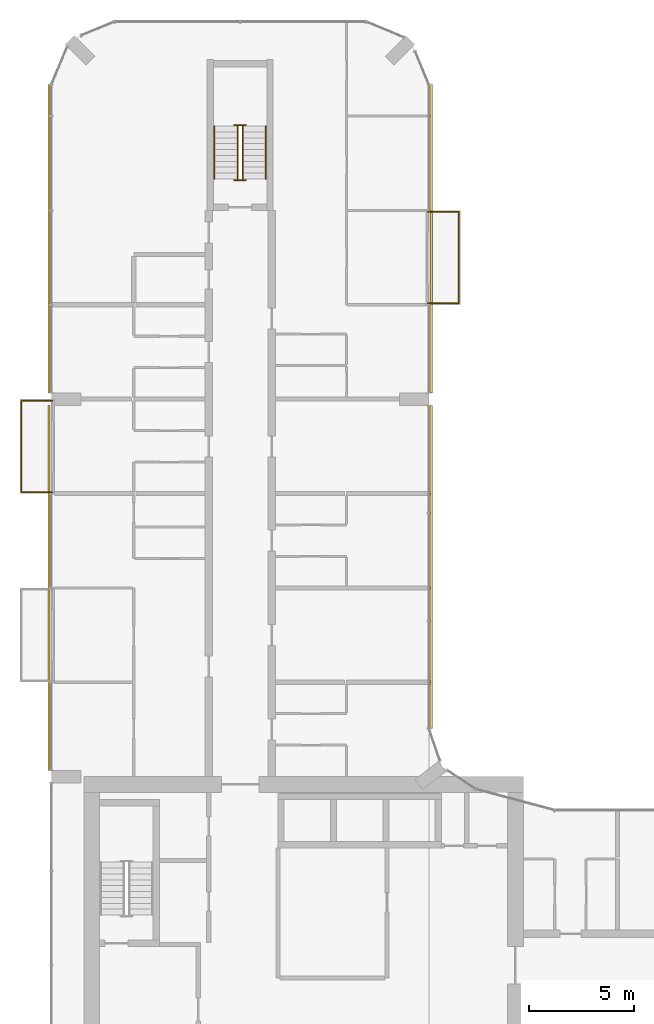
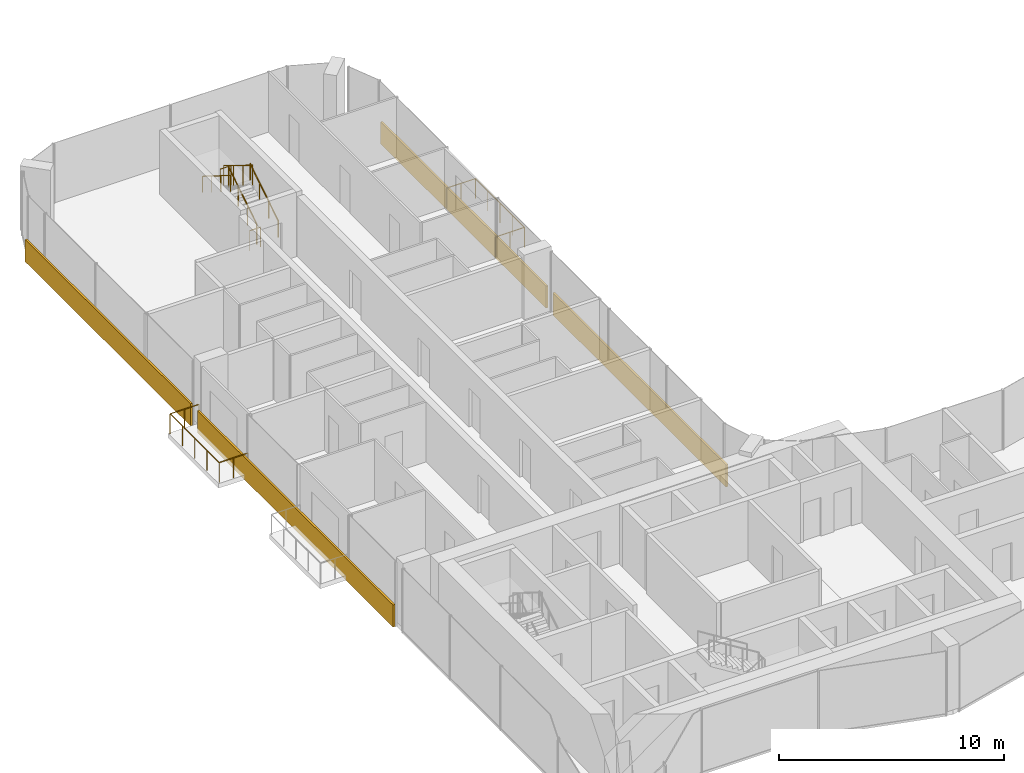
# One storey, part 23 of 24: 8 railings, 4 coverings.
"""IFC4 building model written with IfcOpenShell, lengths in metres."""

import ifcopenshell
import ifcopenshell.guid

model = None  # the IFC model being written
_history = None  # IfcOwnerHistory: only IFC2X3 demands one
_inside = {}  # id of a spatial element -> (the spatial element, [elements in it])
_under = {}  # id of a project, library or spatial element -> (it, [spatial elements below it])
_declared = {}  # id of a project -> (the project, [libraries it declares])
_typed = {}  # id of a type object -> (the type object, [elements of that type])
_made_of = {}  # id of a material, layer set ... -> (it, [elements and type objects made of it])


def new_model(schema):
    """Start an empty IFC model of exactly this schema.

    Asked for "IFC4X3", IfcOpenShell would pick the latest addendum, in which some entities
    have other attributes; the version numbers below select the first issue.
    IFC2X3 requires an IfcOwnerHistory on every rooted entity: one is made here for all.
    """
    global model, _history
    if schema == "IFC4X3":
        model = ifcopenshell.file(schema_version=(4, 3, 0, 0))
    else:
        model = ifcopenshell.file(schema=schema)
    _inside.clear()
    _under.clear()
    _declared.clear()
    _typed.clear()
    _made_of.clear()
    _history = None
    if model.schema == "IFC2X3":
        org = make("IfcOrganization", Name="unknown")
        user = make(
            "IfcPersonAndOrganization",
            ThePerson=make("IfcPerson", FamilyName="unknown"),
            TheOrganization=org,
        )
        app = make(
            "IfcApplication",
            ApplicationDeveloper=org,
            Version="unknown",
            ApplicationFullName="unknown",
            ApplicationIdentifier="unknown",
        )
        _history = make(
            "IfcOwnerHistory",
            OwningUser=user,
            OwningApplication=app,
            ChangeAction="ADDED",
            CreationDate=0,
        )
    return model


def make(cls, **values):
    """One entity of the class cls with the attributes given. An attribute that is None is left unset."""
    return model.create_entity(
        cls, **{name: value for name, value in values.items() if value is not None}
    )


def rooted(cls, **values):
    """An entity with a GlobalId (a new one), such as an element, a storey or a relation."""
    return make(cls, GlobalId=ifcopenshell.guid.new(), OwnerHistory=_history, **values)


def si_unit(unit_type, name, prefix=None):
    """IfcSIUnit, for example si_unit("LENGTHUNIT", "METRE", prefix="MILLI")."""
    return make("IfcSIUnit", UnitType=unit_type, Prefix=prefix, Name=name)


def assignment(units):
    """IfcUnitAssignment: the units of a project."""
    return None if units is None else make("IfcUnitAssignment", Units=units)


def point(xyz):
    """IfcCartesianPoint."""
    return None if xyz is None else make("IfcCartesianPoint", Coordinates=xyz)


def direction(xyz):
    """IfcDirection."""
    return None if xyz is None else make("IfcDirection", DirectionRatios=xyz)


def frame(location, z_axis=None, x_axis=None):
    """IfcAxis2Placement3D, a coordinate frame: its origin and axes. An axis left out is left unset."""
    return make(
        "IfcAxis2Placement3D",
        Location=point(location),
        Axis=direction(z_axis),
        RefDirection=direction(x_axis),
    )


def frame_2d(location, x_axis=None):
    """IfcAxis2Placement2D, a coordinate frame in the plane: its origin and x axis."""
    return make(
        "IfcAxis2Placement2D", Location=point(location), RefDirection=direction(x_axis)
    )


def origin():
    """The frame at (0, 0, 0) with its axes left unset."""
    return frame((0.0, 0.0, 0.0))


def origin_2d():
    """The frame at (0, 0) in the plane with its x axis left unset."""
    return frame_2d((0.0, 0.0))


def place(relative_to, where):
    """IfcLocalPlacement: puts the frame where relative to a parent placement (None: the world)."""
    return make(
        "IfcLocalPlacement", PlacementRelTo=relative_to, RelativePlacement=where
    )


def context(
    kind, dimensions, precision=None, world=None, true_north=None, identifier=None
):
    """IfcGeometricRepresentationContext, for example the 3D "Model" context."""
    return make(
        "IfcGeometricRepresentationContext",
        ContextIdentifier=identifier,
        ContextType=kind,
        CoordinateSpaceDimension=dimensions,
        Precision=precision,
        WorldCoordinateSystem=world,
        TrueNorth=true_north,
    )


def subcontext(parent, identifier, kind, view, scale=None):
    """IfcGeometricRepresentationSubContext, for example "Body" below "Model"."""
    return make(
        "IfcGeometricRepresentationSubContext",
        ContextIdentifier=identifier,
        ContextType=kind,
        ParentContext=parent,
        TargetScale=scale,
        TargetView=view,
    )


def project(units=None, contexts=None):
    """IfcProject with its units and contexts."""
    return rooted(
        "IfcProject",
        Name="project",
        RepresentationContexts=contexts,
        UnitsInContext=assignment(units),
    )


def spatial(cls, under=None, at=None, **own):
    """A site, building, storey or space (cls), placed at a placement, below another one or the project."""
    s = rooted(cls, ObjectPlacement=at, **own)
    if under is not None:
        _under.setdefault(under.id(), (under, []))[1].append(s)
    return s


def profile(cls, at=None, kind="AREA", **sizes):
    """A parametric profile (cls). Its sizes go by their IFC names, for example OverallWidth=200.0."""
    return make(cls, ProfileType=kind, Position=at, **sizes)


def rectangle(**sizes):
    """IfcRectangleProfileDef."""
    return profile("IfcRectangleProfileDef", **sizes)


def circle(**sizes):
    """IfcCircleProfileDef."""
    return profile("IfcCircleProfileDef", **sizes)


def extrude(swept, where, along, depth):
    """IfcExtrudedAreaSolid: the profile swept, set in the frame where, extruded along a direction by depth."""
    return make(
        "IfcExtrudedAreaSolid",
        SweptArea=swept,
        Position=where,
        ExtrudedDirection=direction(along),
        Depth=depth,
    )


def shape(context_of_items, identifier, shape_type, items):
    """IfcShapeRepresentation: the items that make up one representation, for example the "Body"."""
    return make(
        "IfcShapeRepresentation",
        ContextOfItems=context_of_items,
        RepresentationIdentifier=identifier,
        RepresentationType=shape_type,
        Items=items,
    )


def material(Name=None, Category=None):
    """IfcMaterial."""
    return make("IfcMaterial", Name=Name, Category=Category)


def layer(
    of_material, thickness, ventilated=None, Name=None, Category=None, Priority=None
):
    """IfcMaterialLayer: one layer of a wall or slab, of a material (None: an air gap)."""
    return make(
        "IfcMaterialLayer",
        Material=of_material,
        LayerThickness=thickness,
        IsVentilated=ventilated,
        Name=Name,
        Category=Category,
        Priority=Priority,
    )


def layer_set(layers, Name=None):
    """IfcMaterialLayerSet."""
    return make("IfcMaterialLayerSet", MaterialLayers=layers, LayerSetName=Name)


def made_of(thing, what):
    """Note that an element or type object is made of a material, layer set ...; save() writes the relation."""
    if what is not None:
        _made_of.setdefault(what.id(), (what, []))[1].append(thing)
    return thing


def type_object(cls, material=None, **own):
    """A type object (cls), such as IfcWallType, which elements share."""
    return made_of(rooted(cls, **own), material)


def element(
    cls,
    number,
    at=None,
    inside=None,
    cuts=None,
    type_object=None,
    material=None,
    context=None,
    identifier="Body",
    shape_type=None,
    held_by="IfcProductDefinitionShape",
    body=None,
    shapes=None,
    **own,
):
    """One element of the class cls, such as IfcWall. Its Tag is "e" and its number.

    at: its placement. inside: the storey or other place that contains it. cuts: it is an
    opening in that element (IfcRelVoidsElement). A single representation is given by context,
    identifier, shape_type and body (its items); several are given by shapes. held_by: the class
    of the entity that holds the representations. save() writes the other relations.
    """
    e = rooted(cls, Tag="e%d" % number, ObjectPlacement=at, **own)
    if body is not None:
        shapes = [shape(context, identifier, shape_type, body)]
    if shapes is not None:
        e.Representation = make(held_by, Representations=shapes)
    if inside is not None:
        _inside.setdefault(inside.id(), (inside, []))[1].append(e)
    if cuts is not None:
        rooted(
            "IfcRelVoidsElement", RelatingBuildingElement=cuts, RelatedOpeningElement=e
        )
    if type_object is not None:
        _typed.setdefault(type_object.id(), (type_object, []))[1].append(e)
    return made_of(e, material)


def aggregate(whole, parts):
    """IfcRelAggregates: a whole, such as a stair, and the parts it consists of."""
    return rooted("IfcRelAggregates", RelatingObject=whole, RelatedObjects=parts)


def save(model, path):
    """Write the relations noted so far, then the file.

    IfcRelAggregates (storeys below a building ...), IfcRelContainedInSpatialStructure (elements
    in a storey), IfcRelDefinesByType, IfcRelAssociatesMaterial and IfcRelDeclares: one each for
    every whole, place, type object, material and project.
    """
    for whole, parts in _under.values():
        aggregate(whole, parts)
    for where, things in _inside.values():
        rooted(
            "IfcRelContainedInSpatialStructure",
            RelatedElements=things,
            RelatingStructure=where,
        )
    for kind, things in _typed.values():
        rooted("IfcRelDefinesByType", RelatedObjects=things, RelatingType=kind)
    for what, things in _made_of.values():
        rooted("IfcRelAssociatesMaterial", RelatedObjects=things, RelatingMaterial=what)
    for by, libraries in _declared.values():
        rooted("IfcRelDeclares", RelatingContext=by, RelatedDefinitions=libraries)
    model.write(path)


model = new_model("IFC4")

# Units and contexts
model_context = context("Model", 3, precision=1e-05, world=origin(), true_north=direction((0.0, 1.0)))
body_context = subcontext(model_context, "Body", "Model", "MODEL_VIEW")
ifc_project = project(units=[si_unit("LENGTHUNIT", "METRE"), si_unit("AREAUNIT", "SQUARE_METRE"), si_unit("VOLUMEUNIT", "CUBIC_METRE"), si_unit("PLANEANGLEUNIT", "RADIAN"), si_unit("MASSUNIT", "GRAM", prefix="KILO")], contexts=[model_context])

# Site, building, storey
site_placement = place(None, origin())
site = spatial("IfcSite", under=ifc_project, at=site_placement, CompositionType="ELEMENT")
building_placement = place(site_placement, origin())
building = spatial("IfcBuilding", under=site, at=building_placement, Name="Plateau Cross Towers", CompositionType="ELEMENT")
storey_placement = place(building_placement, frame((0.0, 0.0, 47.800048828125)))
storey = spatial("IfcBuildingStorey", under=building, at=storey_placement, Name="L11", CompositionType="ELEMENT", Elevation=47.800048828125)

# Railings
ifc_material_1 = material(Name="Stainless steel and toughened glass", Category="steel")
railing_type_1 = type_object("IfcRailingType", Name="Glass balustrade guard 1100", PredefinedType="GUARDRAIL", material=ifc_material_1)
railing_1_placement = place(storey_placement, frame((0.050048828125, 31.570068359375, 0.0)))
element("IfcRailing", 1, at=railing_1_placement, inside=storey, type_object=railing_type_1, Name="Guard guard1", PredefinedType="GUARDRAIL", context=body_context, shape_type="SweptSolid", body=[
    extrude(circle(Radius=0.02392578125, at=origin_2d()), frame((0.0, 0.0, 1.076171875), z_axis=(-1.0, 0.0, 0.0), x_axis=(0.0, -1.0, 0.0)), (0.0, 0.0, 1.0), 1.47998046875),
    extrude(circle(Radius=0.02392578125, at=origin_2d()), frame((-1.47998046875, 0.0, 1.076171875), z_axis=(0.0, 1.0, 0.0), x_axis=(-1.0, 0.0, 0.0)), (0.0, 0.0, 1.0), 4.35986328125),
    extrude(circle(Radius=0.02392578125, at=origin_2d()), frame((-1.47998046875, 4.35986328125, 1.076171875), z_axis=(1.0, 0.0, 0.0), x_axis=(0.0, 1.0, 0.0)), (0.0, 0.0, 1.0), 1.47998046875),
    extrude(circle(Radius=0.02099609375, at=origin_2d()), origin(), (0.0, 0.0, 1.0), 1.052001953125),
    extrude(circle(Radius=0.02099609375, at=origin_2d()), frame((-0.739990234375, 0.0, 0.0)), (0.0, 0.0, 1.0), 1.052001953125),
    extrude(circle(Radius=0.02099609375, at=origin_2d()), frame((-1.47998046875, 0.0, 0.0)), (0.0, 0.0, 1.0), 1.052001953125),
    extrude(circle(Radius=0.02099609375, at=origin_2d()), frame((-1.47998046875, 1.08984375, 0.0)), (0.0, 0.0, 1.0), 1.052001953125),
    extrude(circle(Radius=0.02099609375, at=origin_2d()), frame((-1.47998046875, 2.179931640625, 0.0)), (0.0, 0.0, 1.0), 1.052001953125),
    extrude(circle(Radius=0.02099609375, at=origin_2d()), frame((-1.47998046875, 3.27001953125, 0.0)), (0.0, 0.0, 1.0), 1.052001953125),
    extrude(circle(Radius=0.02099609375, at=origin_2d()), frame((-1.47998046875, 4.35986328125, 0.0)), (0.0, 0.0, 1.0), 1.052001953125),
    extrude(circle(Radius=0.02099609375, at=origin_2d()), frame((-0.739990234375, 4.35986328125, 0.0)), (0.0, 0.0, 1.0), 1.052001953125),
    extrude(circle(Radius=0.02099609375, at=origin_2d()), frame((0.0, 4.35986328125, 0.0)), (0.0, 0.0, 1.0), 1.052001953125),
])
railing_2_placement = place(storey_placement, frame((17.949951171875, 44.929931640625, 0.0)))
element("IfcRailing", 2, at=railing_2_placement, inside=storey, type_object=railing_type_1, Name="Guard guard1", PredefinedType="GUARDRAIL", context=body_context, shape_type="SweptSolid", body=[
    extrude(circle(Radius=0.02392578125, at=origin_2d()), frame((0.0, 0.0, 1.076171875), z_axis=(1.0, 0.0, 0.0), x_axis=(0.0, 1.0, 0.0)), (0.0, 0.0, 1.0), 1.47998046875),
    extrude(circle(Radius=0.02392578125, at=origin_2d()), frame((1.47998046875, 0.0, 1.076171875), z_axis=(0.0, -1.0, 0.0), x_axis=(1.0, 0.0, 0.0)), (0.0, 0.0, 1.0), 4.35986328125),
    extrude(circle(Radius=0.02392578125, at=origin_2d()), frame((1.47998046875, -4.35986328125, 1.076171875), z_axis=(-1.0, 0.0, 0.0), x_axis=(0.0, -1.0, 0.0)), (0.0, 0.0, 1.0), 1.47998046875),
    extrude(circle(Radius=0.02099609375, at=origin_2d()), origin(), (0.0, 0.0, 1.0), 1.052001953125),
    extrude(circle(Radius=0.02099609375, at=origin_2d()), frame((0.739990234375, 0.0, 0.0)), (0.0, 0.0, 1.0), 1.052001953125),
    extrude(circle(Radius=0.02099609375, at=origin_2d()), frame((1.47998046875, 0.0, 0.0)), (0.0, 0.0, 1.0), 1.052001953125),
    extrude(circle(Radius=0.02099609375, at=origin_2d()), frame((1.47998046875, -1.08984375, 0.0)), (0.0, 0.0, 1.0), 1.052001953125),
    extrude(circle(Radius=0.02099609375, at=origin_2d()), frame((1.47998046875, -2.179931640625, 0.0)), (0.0, 0.0, 1.0), 1.052001953125),
    extrude(circle(Radius=0.02099609375, at=origin_2d()), frame((1.47998046875, -3.27001953125, 0.0)), (0.0, 0.0, 1.0), 1.052001953125),
    extrude(circle(Radius=0.02099609375, at=origin_2d()), frame((1.47998046875, -4.35986328125, 0.0)), (0.0, 0.0, 1.0), 1.052001953125),
    extrude(circle(Radius=0.02099609375, at=origin_2d()), frame((0.739990234375, -4.35986328125, 0.0)), (0.0, 0.0, 1.0), 1.052001953125),
    extrude(circle(Radius=0.02099609375, at=origin_2d()), frame((0.0, -4.35986328125, 0.0)), (0.0, 0.0, 1.0), 1.052001953125),
])
railing_type_2 = type_object("IfcRailingType", Name="RL-GUARD-1100", PredefinedType="GUARDRAIL", material=ifc_material_1)
railing_3_placement = place(storey_placement, frame((9.125, 46.5, 0.175048828125)))
element("IfcRailing", 3, at=railing_3_placement, inside=storey, type_object=railing_type_2, Name="L11 ES-N stair guard 1", PredefinedType="GUARDRAIL", context=body_context, shape_type="SweptSolid", body=[
    extrude(circle(Radius=0.02392578125, at=origin_2d()), frame((0.0, 0.0, 1.076171875), z_axis=(0.0, 0.848007534815, 0.529984170421), x_axis=(-1.0, 0.0, 0.0)), (0.0, 0.0, 1.0), 2.9716796875),
    extrude(circle(Radius=0.02099609375, at=origin_2d()), origin(), (0.0, 0.0, 1.0), 1.052001953125),
    extrude(circle(Radius=0.02099609375, at=origin_2d()), frame((0.0, 0.840087890625, 0.52490234375)), (0.0, 0.0, 1.0), 1.052001953125),
    extrude(circle(Radius=0.02099609375, at=origin_2d()), frame((0.0, 1.679931640625, 1.050048828125)), (0.0, 0.0, 1.0), 1.052001953125),
    extrude(circle(Radius=0.02099609375, at=origin_2d()), frame((0.0, 2.52001953125, 1.574951171875)), (0.0, 0.0, 1.0), 1.052001953125),
])
railing_4_placement = place(storey_placement, frame((9.27490234375, 49.070068359375, 1.75)))
element("IfcRailing", 4, at=railing_4_placement, inside=storey, type_object=railing_type_2, Name="L11 ES-N stair guard 2", PredefinedType="GUARDRAIL", context=body_context, shape_type="SweptSolid", body=[
    extrude(circle(Radius=0.02392578125, at=origin_2d()), frame((0.0, 0.0, 1.076171875), z_axis=(-1.0, 0.0, 0.0), x_axis=(0.0, -1.0, 0.0)), (0.0, 0.0, 1.0), 0.5498046875),
    extrude(circle(Radius=0.02099609375, at=origin_2d()), origin(), (0.0, 0.0, 1.0), 1.052001953125),
    extrude(circle(Radius=0.02099609375, at=origin_2d()), frame((-0.5498046875, 0.0, 0.0)), (0.0, 0.0, 1.0), 1.052001953125),
])
railing_5_placement = place(storey_placement, frame((8.875, 49.02001953125, 1.925048828125)))
element("IfcRailing", 5, at=railing_5_placement, inside=storey, type_object=railing_type_2, Name="L11 ES-N stair guard 3", PredefinedType="GUARDRAIL", context=body_context, shape_type="SweptSolid", body=[
    extrude(circle(Radius=0.02392578125, at=origin_2d()), frame((0.0, 0.0, 1.076171875), z_axis=(0.0, -0.852638500773, 0.522501279423), x_axis=(1.0, 0.0, 0.0)), (0.0, 0.0, 1.0), 3.01416015625),
    extrude(circle(Radius=0.02099609375, at=origin_2d()), origin(), (0.0, 0.0, 1.0), 1.052001953125),
    extrude(circle(Radius=0.02099609375, at=origin_2d()), frame((0.0, -0.856689453125, 0.52490234375)), (0.0, 0.0, 1.0), 1.052001953125),
    extrude(circle(Radius=0.02099609375, at=origin_2d()), frame((0.0, -1.71337890625, 1.050048828125)), (0.0, 0.0, 1.0), 1.052001953125),
    extrude(circle(Radius=0.02099609375, at=origin_2d()), frame((0.0, -2.570068359375, 1.574951171875)), (0.0, 0.0, 1.0), 1.052001953125),
])
railing_6_placement = place(storey_placement, frame((9.27490234375, 46.449951171875, 0.0)))
element("IfcRailing", 6, at=railing_6_placement, inside=storey, type_object=railing_type_2, Name="L11 ES-N stair guard 4", PredefinedType="GUARDRAIL", context=body_context, shape_type="SweptSolid", body=[
    extrude(circle(Radius=0.02392578125, at=origin_2d()), frame((0.0, 0.0, 1.076171875), z_axis=(-1.0, 0.0, 0.0), x_axis=(0.0, -1.0, 0.0)), (0.0, 0.0, 1.0), 0.5498046875),
    extrude(circle(Radius=0.02099609375, at=origin_2d()), origin(), (0.0, 0.0, 1.0), 1.052001953125),
    extrude(circle(Radius=0.02099609375, at=origin_2d()), frame((-0.5498046875, 0.0, 0.0)), (0.0, 0.0, 1.0), 1.052001953125),
])
ifc_material_2 = material(Name="Black anodised aluminium", Category="aluminium")
railing_type_3 = type_object("IfcRailingType", Name="RL-HANDRAIL-900", PredefinedType="HANDRAIL", material=ifc_material_2)
railing_7_placement = place(storey_placement, frame((10.22509765625, 46.5, 0.175048828125)))
element("IfcRailing", 7, at=railing_7_placement, inside=storey, type_object=railing_type_3, Name="L11 ES-N stair handrail 1", PredefinedType="HANDRAIL", context=body_context, shape_type="SweptSolid", body=[
    extrude(circle(Radius=0.02392578125, at=origin_2d()), frame((0.0, 0.0, 0.8759765625), z_axis=(0.0, 0.848007534815, 0.529984170421), x_axis=(-1.0, 0.0, 0.0)), (0.0, 0.0, 1.0), 2.9716796875),
    extrude(circle(Radius=0.02099609375, at=origin_2d()), origin(), (0.0, 0.0, 1.0), 0.851806640625),
    extrude(circle(Radius=0.02099609375, at=origin_2d()), frame((0.0, 0.840087890625, 0.52490234375)), (0.0, 0.0, 1.0), 0.851806640625),
    extrude(circle(Radius=0.02099609375, at=origin_2d()), frame((0.0, 1.679931640625, 1.050048828125)), (0.0, 0.0, 1.0), 0.851806640625),
    extrude(circle(Radius=0.02099609375, at=origin_2d()), frame((0.0, 2.52001953125, 1.574951171875)), (0.0, 0.0, 1.0), 0.851806640625),
])
railing_8_placement = place(storey_placement, frame((7.77490234375, 49.02001953125, 1.925048828125)))
element("IfcRailing", 8, at=railing_8_placement, inside=storey, type_object=railing_type_3, Name="L11 ES-N stair handrail 2", PredefinedType="HANDRAIL", context=body_context, shape_type="SweptSolid", body=[
    extrude(circle(Radius=0.02392578125, at=origin_2d()), frame((0.0, 0.0, 0.8759765625), z_axis=(0.0, -0.848007534815, 0.529984170421), x_axis=(1.0, 0.0, 0.0)), (0.0, 0.0, 1.0), 2.9716796875),
    extrude(circle(Radius=0.02099609375, at=origin_2d()), origin(), (0.0, 0.0, 1.0), 0.851806640625),
    extrude(circle(Radius=0.02099609375, at=origin_2d()), frame((0.0, -0.840087890625, 0.52490234375)), (0.0, 0.0, 1.0), 0.851806640625),
    extrude(circle(Radius=0.02099609375, at=origin_2d()), frame((0.0, -1.679931640625, 1.050048828125)), (0.0, 0.0, 1.0), 0.851806640625),
    extrude(circle(Radius=0.02099609375, at=origin_2d()), frame((0.0, -2.52001953125, 1.574951171875)), (0.0, 0.0, 1.0), 0.851806640625),
])

# Coverings
ifc_material_3 = material(Name="Precast concrete cladding C40/50", Category="concrete")
ifc_layer = layer(ifc_material_3, 0.10009765625)
ifc_layer_set = layer_set([ifc_layer], Name="Precast concrete cladding C40/50")
covering_type = type_object("IfcCoveringType", Name="Spandrel band cladding 100x1200", PredefinedType="CLADDING", material=ifc_layer_set)
covering_1_placement = place(storey_placement, frame((18.1201171875, 28.001220703125, -0.25), z_axis=(0.0, 0.0, 1.0), x_axis=(0.0, 1.0, 0.0)))
element("IfcCovering", 9, at=covering_1_placement, inside=storey, type_object=covering_type, Name="Spandrel band", PredefinedType="CLADDING", context=body_context, shape_type="SweptSolid", body=[
    extrude(rectangle(XDim=15.397705078125, YDim=0.10009765625, at=origin_2d()), origin(), (0.0, 0.0, 1.0), 1.199951171875),
])
for number, where, z_axis, x_axis, name in (
    (10, (18.1201171875, 43.64990234375, -0.25), (0.0, 0.0, 1.0), (0.0, 1.0, 0.0), "Spandrel band"),
    (11, (-0.1201171875, 43.64990234375, -0.25), (0.0, 0.0, 1.0), (0.0, -1.0, 0.0), "Spandrel band"),
):
    element("IfcCovering", number, at=place(storey_placement, frame(where, z_axis=z_axis, x_axis=x_axis)), inside=storey, type_object=covering_type, Name=name, PredefinedType="CLADDING", context=body_context, shape_type="SweptSolid", body=[
        extrude(rectangle(XDim=14.699951171875, YDim=0.10009765625, at=origin_2d()), origin(), (0.0, 0.0, 1.0), 1.199951171875),
    ])
covering_2_placement = place(storey_placement, frame((-0.1201171875, 27.0, -0.25), z_axis=(0.0, 0.0, 1.0), x_axis=(0.0, -1.0, 0.0)))
element("IfcCovering", 12, at=covering_2_placement, inside=storey, type_object=covering_type, Name="Spandrel band", PredefinedType="CLADDING", context=body_context, shape_type="SweptSolid", body=[
    extrude(rectangle(XDim=17.39990234375, YDim=0.10009765625, at=origin_2d()), origin(), (0.0, 0.0, 1.0), 1.199951171875),
])

save(model, "model.ifc")
